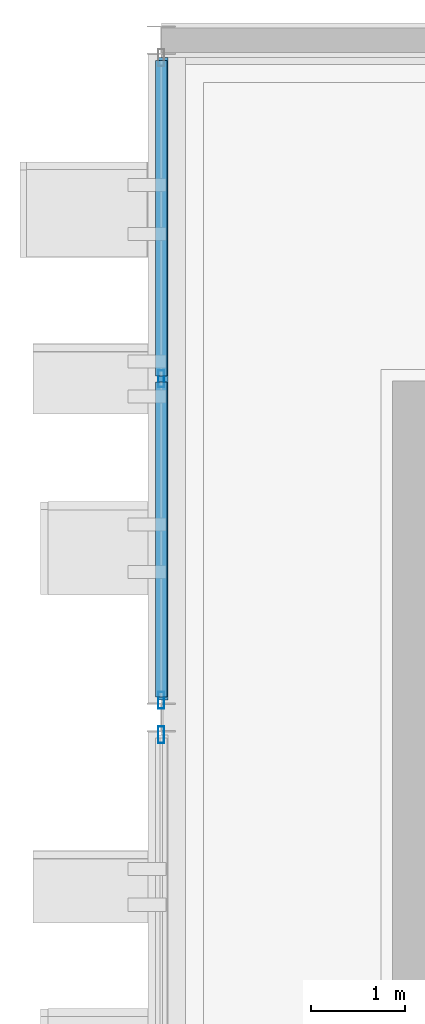
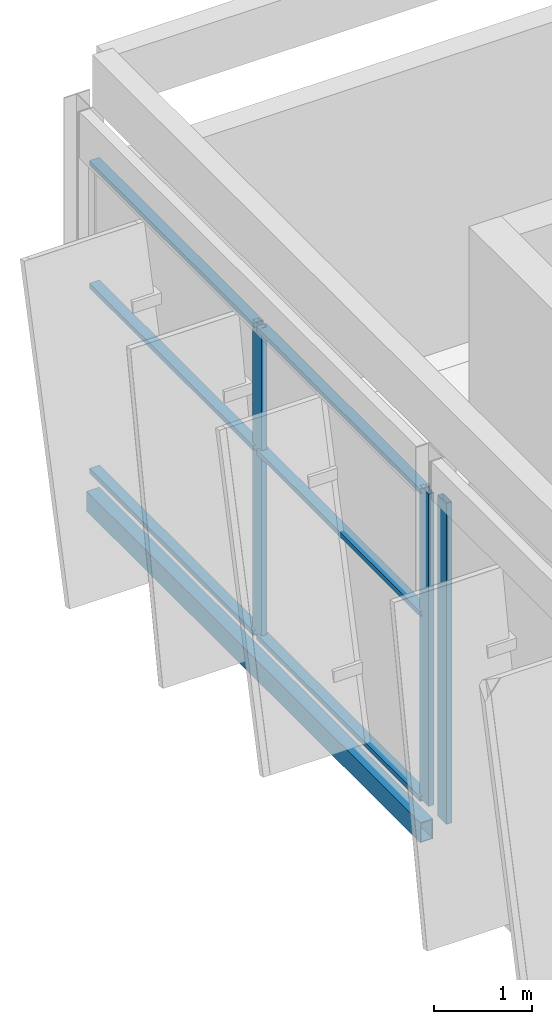
# One storey, part 26 of 52: 9 members, 1 beam, 2 elements without a shape of their own.
"""IFC4 building model written with IfcOpenShell, lengths in metres."""

from ifc_helpers import new_model, si_unit, direction, frame, origin, origin_2d, place, context, subcontext, project, spatial, hollow_rectangle, extrude, material, layer, layer_set, material_profile, profile_set, type_object, element, aggregate, save


model = new_model("IFC4")

# Units and contexts
model_context = context("Model", 3, precision=1e-05, world=origin(), true_north=direction((0.0, 1.0)))
body_context = subcontext(model_context, "Body", "Model", "MODEL_VIEW")
ifc_project = project(units=[si_unit("LENGTHUNIT", "METRE"), si_unit("AREAUNIT", "SQUARE_METRE"), si_unit("VOLUMEUNIT", "CUBIC_METRE"), si_unit("PLANEANGLEUNIT", "RADIAN"), si_unit("MASSUNIT", "GRAM", prefix="KILO")], contexts=[model_context])

# Site, building, storey
site_placement = place(None, origin())
site = spatial("IfcSite", under=ifc_project, at=site_placement, CompositionType="ELEMENT")
building_placement = place(site_placement, origin())
building = spatial("IfcBuilding", under=site, at=building_placement, Name="Celestram Park Convention Centre", CompositionType="ELEMENT")
storey_placement = place(building_placement, frame((0.0, 0.0, 24.300048828125)))
storey = spatial("IfcBuildingStorey", under=building, at=storey_placement, Name="L05", CompositionType="ELEMENT", Elevation=24.300048828125)

# Curtain wall, member
ifc_material_1 = material(Name="Anodised Aluminium Alloy 6063-T6", Category="aluminium")
ifc_layer_1 = layer(ifc_material_1, 0.179931640625)
ifc_layer_set_1 = layer_set([ifc_layer_1], Name="Anodised Aluminium Alloy 6063-T6")
curtain_wall_type_1 = type_object("IfcCurtainWallType", Name="ARC-CW-690X401", PredefinedType="NOTDEFINED", material=ifc_layer_set_1)
curtain_wall_1_placement = place(storey_placement, origin())
curtain_wall_1 = element("IfcCurtainWall", 1, at=curtain_wall_1_placement, inside=storey, type_object=curtain_wall_type_1, Name="Unitised curtain wall CU-L05-249", PredefinedType="NOTDEFINED")
ifc_material_profile_1 = material_profile(ifc_material_1, hollow_rectangle(XDim=0.06494140625, YDim=0.179931640625, WallThickness=0.00390625, at=origin_2d()), Name="ALU65X180X4")
ifc_profile_set_1 = profile_set([ifc_material_profile_1], Name="Anodised Aluminium Alloy 6063-T6")
member_type_1 = type_object("IfcMemberType", Name="ARC-CWM-150", PredefinedType="MULLION", material=ifc_profile_set_1)
member_1_placement = place(storey_placement, frame((36.0, 158.216064453125, 0.0), z_axis=(0.0, 0.0, 1.0), x_axis=(-1.0, 0.0, 0.0)))
member_1 = element("IfcMember", 2, at=member_1_placement, type_object=member_type_1, Name="CW-69X40 mullion 3", PredefinedType="MULLION", context=body_context, shape_type="SweptSolid", body=[
    extrude(hollow_rectangle(XDim=0.06494140625, YDim=0.179931640625, WallThickness=0.00390625, at=origin_2d()), origin(), (0.0, 0.0, 1.0), 4.010009765625),
])
aggregate(curtain_wall_1, [member_1])

# Curtain wall, members
ifc_layer_2 = layer(ifc_material_1, 0.179931640625)
ifc_layer_set_2 = layer_set([ifc_layer_2], Name="Anodised Aluminium Alloy 6063-T6")
curtain_wall_type_2 = type_object("IfcCurtainWallType", Name="ARC-CW-690X390", PredefinedType="NOTDEFINED", material=ifc_layer_set_2)
curtain_wall_2_placement = place(storey_placement, origin())
curtain_wall_2 = element("IfcCurtainWall", 3, at=curtain_wall_2_placement, inside=storey, type_object=curtain_wall_type_2, Name="Unitised curtain wall CU-L05-250", PredefinedType="NOTDEFINED")
member_2_placement = place(storey_placement, frame((36.0, 158.583984375, 0.0), z_axis=(0.0, 0.0, 1.0), x_axis=(-1.0, 0.0, 0.0)))
member_2 = element("IfcMember", 4, at=member_2_placement, type_object=member_type_1, Name="CW-69X39 mullion 1", PredefinedType="MULLION", context=body_context, shape_type="SweptSolid", body=[
    extrude(hollow_rectangle(XDim=0.06494140625, YDim=0.179931640625, WallThickness=0.00390625, at=origin_2d()), origin(), (0.0, 0.0, 1.0), 3.904052734375),
])
member_3_placement = place(storey_placement, frame((36.0, 162.0, 0.0), z_axis=(0.0, 0.0, 1.0), x_axis=(-1.0, 0.0, 0.0)))
member_3 = element("IfcMember", 5, at=member_3_placement, type_object=member_type_1, Name="CW-69X39 mullion 2", PredefinedType="MULLION", context=body_context, shape_type="SweptSolid", body=[
    extrude(hollow_rectangle(XDim=0.06494140625, YDim=0.179931640625, WallThickness=0.00390625, at=origin_2d()), origin(), (0.0, 0.0, 1.0), 3.904052734375),
])
ifc_material_profile_2 = material_profile(ifc_material_1, hollow_rectangle(XDim=0.1201171875, YDim=0.06005859375, WallThickness=0.0029296875, at=origin_2d()), Name="ALU120X60X3")
ifc_profile_set_2 = profile_set([ifc_material_profile_2], Name="Anodised Aluminium Alloy 6063-T6")
member_type_2 = type_object("IfcMemberType", Name="ARC-CWT-120", PredefinedType="USERDEFINED", material=ifc_profile_set_2)
member_4_placement = place(storey_placement, frame((36.0, 158.616455078125, 0.030029296875), z_axis=(0.0, 1.0, 0.0), x_axis=(-1.0, 0.0, 0.0)))
member_4 = element("IfcMember", 6, at=member_4_placement, type_object=member_type_2, Name="CW-69X39 transom 1.1", ObjectType="TRANSOM", PredefinedType="USERDEFINED", context=body_context, shape_type="SweptSolid", body=[
    extrude(hollow_rectangle(XDim=0.1201171875, YDim=0.06005859375, WallThickness=0.0029296875, at=origin_2d()), origin(), (0.0, 0.0, 1.0), 3.35107421875),
])
member_5_placement = place(storey_placement, frame((36.0, 158.616455078125, 2.342041015625), z_axis=(0.0, 1.0, 0.0), x_axis=(-1.0, 0.0, 0.0)))
member_5 = element("IfcMember", 7, at=member_5_placement, type_object=member_type_2, Name="CW-69X39 transom 1.2", ObjectType="TRANSOM", PredefinedType="USERDEFINED", context=body_context, shape_type="SweptSolid", body=[
    extrude(hollow_rectangle(XDim=0.1201171875, YDim=0.06005859375, WallThickness=0.0029296875, at=origin_2d()), origin(), (0.0, 0.0, 1.0), 3.35107421875),
])
member_6_placement = place(storey_placement, frame((36.0, 158.616455078125, 3.8740234375), z_axis=(0.0, 1.0, 0.0), x_axis=(-1.0, 0.0, 0.0)))
member_6 = element("IfcMember", 8, at=member_6_placement, type_object=member_type_2, Name="CW-69X39 transom 1.3", ObjectType="TRANSOM", PredefinedType="USERDEFINED", context=body_context, shape_type="SweptSolid", body=[
    extrude(hollow_rectangle(XDim=0.1201171875, YDim=0.06005859375, WallThickness=0.0029296875, at=origin_2d()), origin(), (0.0, 0.0, 1.0), 3.35107421875),
])
member_7_placement = place(storey_placement, frame((36.0, 162.032470703125, 0.030029296875), z_axis=(0.0, 1.0, 0.0), x_axis=(-1.0, 0.0, 0.0)))
member_7 = element("IfcMember", 9, at=member_7_placement, type_object=member_type_2, Name="CW-69X39 transom 2.1", ObjectType="TRANSOM", PredefinedType="USERDEFINED", context=body_context, shape_type="SweptSolid", body=[
    extrude(hollow_rectangle(XDim=0.1201171875, YDim=0.06005859375, WallThickness=0.0029296875, at=origin_2d()), origin(), (0.0, 0.0, 1.0), 3.35107421875),
])
member_8_placement = place(storey_placement, frame((36.0, 162.032470703125, 2.342041015625), z_axis=(0.0, 1.0, 0.0), x_axis=(-1.0, 0.0, 0.0)))
member_8 = element("IfcMember", 10, at=member_8_placement, type_object=member_type_2, Name="CW-69X39 transom 2.2", ObjectType="TRANSOM", PredefinedType="USERDEFINED", context=body_context, shape_type="SweptSolid", body=[
    extrude(hollow_rectangle(XDim=0.1201171875, YDim=0.06005859375, WallThickness=0.0029296875, at=origin_2d()), origin(), (0.0, 0.0, 1.0), 3.35107421875),
])
member_9_placement = place(storey_placement, frame((36.0, 162.032470703125, 3.8740234375), z_axis=(0.0, 1.0, 0.0), x_axis=(-1.0, 0.0, 0.0)))
member_9 = element("IfcMember", 11, at=member_9_placement, type_object=member_type_2, Name="CW-69X39 transom 2.3", ObjectType="TRANSOM", PredefinedType="USERDEFINED", context=body_context, shape_type="SweptSolid", body=[
    extrude(hollow_rectangle(XDim=0.1201171875, YDim=0.06005859375, WallThickness=0.0029296875, at=origin_2d()), origin(), (0.0, 0.0, 1.0), 3.35107421875),
])
aggregate(curtain_wall_2, [member_2, member_3, member_4, member_5, member_6, member_7, member_8, member_9])

# Beam
ifc_material_2 = material(Name="Steel ASTM A500 Grade C", Category="steel")
ifc_material_profile_3 = material_profile(ifc_material_2, hollow_rectangle(XDim=0.14990234375, YDim=0.25, WallThickness=0.010009765625, at=origin_2d()), Name="HSS250X150X10")
ifc_profile_set_3 = profile_set([ifc_material_profile_3], Name="Steel ASTM A500 Grade C")
beam_type = type_object("IfcBeamType", Name="STR-SPN-HSS250X150", PredefinedType="SPANDREL", material=ifc_profile_set_3)
beam_placement = place(storey_placement, frame((36.0, 158.58447265625, -0.364990234375), z_axis=(0.0, 1.0, 0.0), x_axis=(-1.0, 0.0, 0.0)))
element("IfcBeam", 12, at=beam_placement, inside=storey, type_object=beam_type, Name="Primary Y-girder BG-L05-0013", PredefinedType="SPANDREL", context=body_context, shape_type="SweptSolid", body=[
    extrude(hollow_rectangle(XDim=0.14990234375, YDim=0.25, WallThickness=0.010009765625, at=origin_2d()), origin(), (0.0, 0.0, 1.0), 6.8310546875),
])

save(model, "model.ifc")
